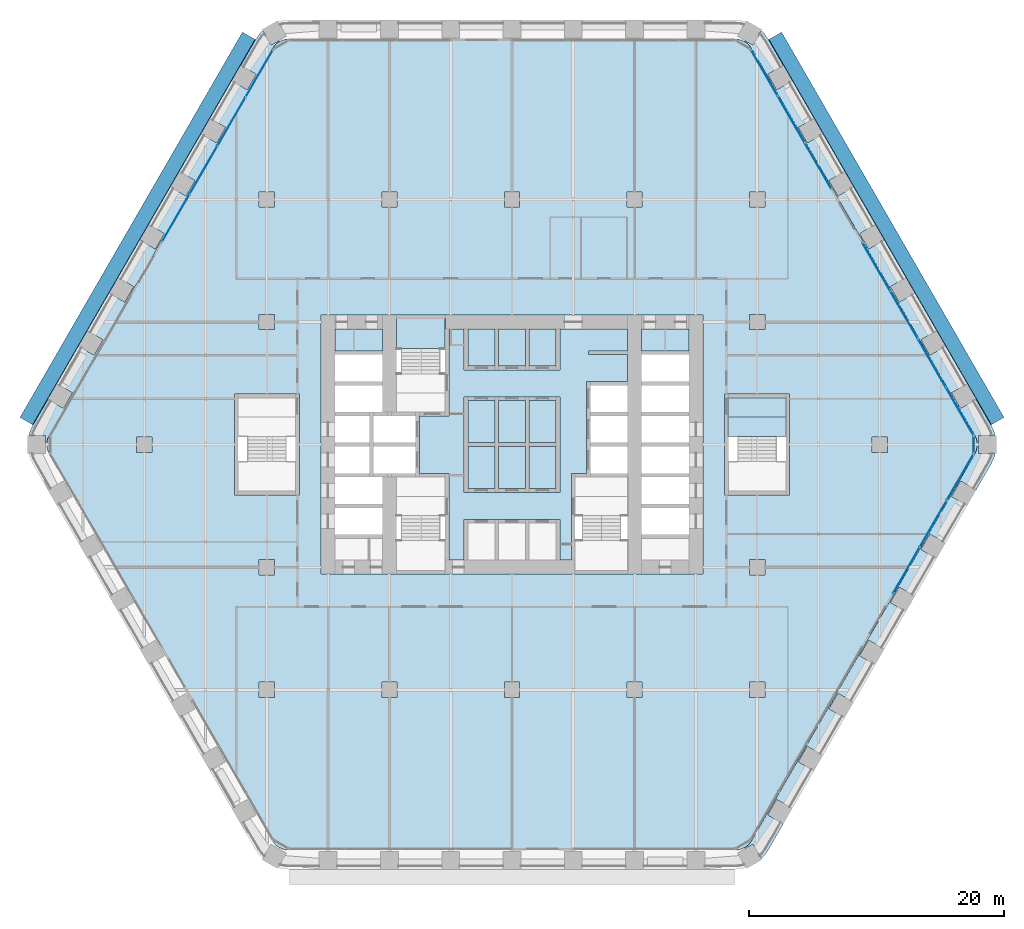
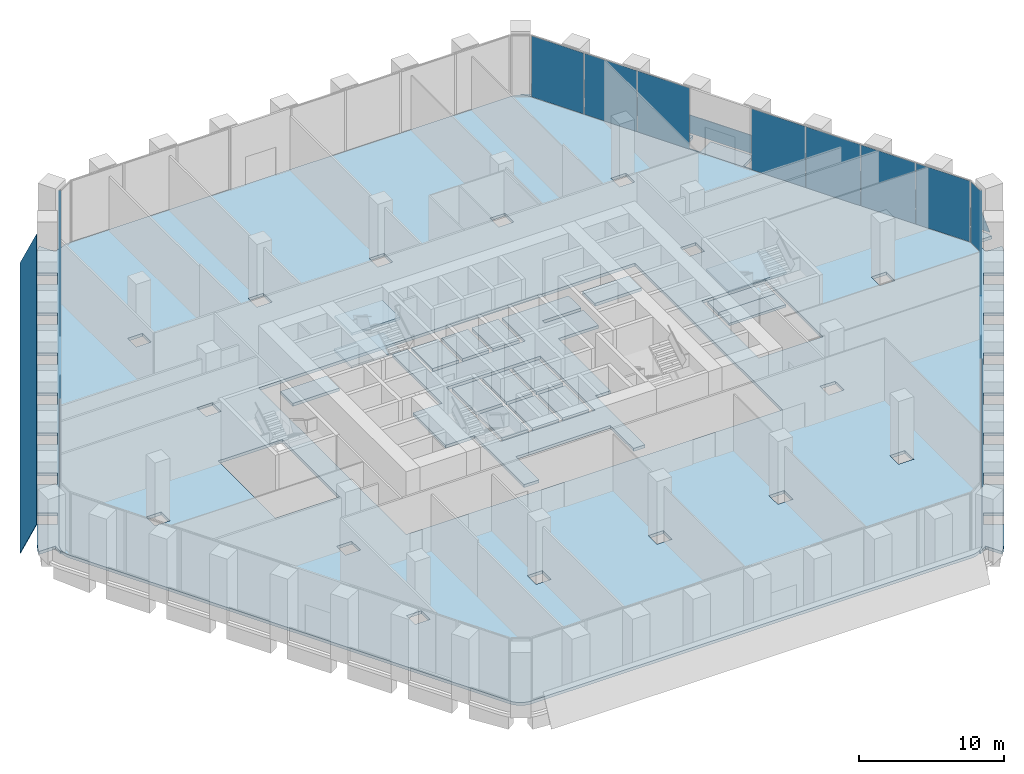
# One storey, part 16 of 27: 21 slabs, 17 plates, 7 elements without a shape of their own.
"""IFC4 building model written with IfcOpenShell, lengths in metres."""

from ifc_helpers import new_model, si_unit, direction, frame, origin, origin_2d, place, context, subcontext, project, spatial, polyline, rectangle, outline, extrude, material, layer, layer_set, type_object, element, aggregate, save


model = new_model("IFC4")

# Units and contexts
model_context = context("Model", 3, precision=1e-05, world=origin(), true_north=direction((0.0, 1.0)))
body_context = subcontext(model_context, "Body", "Model", "MODEL_VIEW")
ifc_project = project(units=[si_unit("LENGTHUNIT", "METRE"), si_unit("AREAUNIT", "SQUARE_METRE"), si_unit("VOLUMEUNIT", "CUBIC_METRE"), si_unit("PLANEANGLEUNIT", "RADIAN"), si_unit("MASSUNIT", "GRAM", prefix="KILO")], contexts=[model_context])

# Site, building, storey
site_placement = place(None, origin())
site = spatial("IfcSite", under=ifc_project, at=site_placement, CompositionType="ELEMENT")
building_placement = place(site_placement, origin())
building = spatial("IfcBuilding", under=site, at=building_placement, Name="Kolab Exchange Tower", CompositionType="ELEMENT")
storey_placement = place(building_placement, frame((0.0, 0.0, 22.39990234375)))
storey = spatial("IfcBuildingStorey", under=building, at=storey_placement, Name="L04", CompositionType="ELEMENT", Elevation=22.39990234375)

# Slabs
ifc_material_1 = material(Name="Concrete C35/45", Category="concrete")
ifc_layer_1 = layer(ifc_material_1, 0.25)
ifc_layer_set_1 = layer_set([ifc_layer_1], Name="Concrete C35/45")
slab_type_1 = type_object("IfcSlabType", Name="FLOOR SLAB 250", PredefinedType="FLOOR", material=ifc_layer_set_1)
slab_1_placement = place(storey_placement, frame((0.0, 0.0, -0.25)))
element("IfcSlab", 1, at=slab_1_placement, inside=storey, type_object=slab_type_1, Name="slab/L04/floor/0", PredefinedType="FLOOR", context=body_context, shape_type="SweptSolid", body=[
    extrude(outline(polyline([(18.76708984375, -31.00537109375), (36.23486328125, -0.75), (36.345458984375, -0.512939453125), (36.4130859375, -0.260498046875), (36.435791015625, 0.0), (36.4130859375, 0.260498046875), (36.345458984375, 0.512939453125), (36.23486328125, 0.75), (18.76708984375, 31.00537109375), (18.616943359375, 31.219482421875), (18.43212890625, 31.404541015625), (18.218017578125, 31.554443359375), (17.98095703125, 31.664794921875), (17.728515625, 31.732666015625), (17.468017578125, 31.75537109375), (-17.468017578125, 31.75537109375), (-17.728515625, 31.732666015625), (-17.98095703125, 31.664794921875), (-18.218017578125, 31.554443359375), (-18.43212890625, 31.404541015625), (-18.616943359375, 31.219482421875), (-18.76708984375, 31.00537109375), (-36.23486328125, 0.75), (-36.345458984375, 0.512939453125), (-36.4130859375, 0.260498046875), (-36.435791015625, 0.0), (-36.4130859375, -0.260498046875), (-36.345458984375, -0.512939453125), (-36.23486328125, -0.75), (-18.76708984375, -31.00537109375), (-18.616943359375, -31.219482421875), (-18.43212890625, -31.404541015625), (-18.218017578125, -31.554443359375), (-17.98095703125, -31.664794921875), (-17.728515625, -31.732666015625), (-17.468017578125, -31.75537109375), (17.468017578125, -31.75537109375), (17.728515625, -31.732666015625), (17.98095703125, -31.664794921875), (18.218017578125, -31.554443359375), (18.43212890625, -31.404541015625), (18.616943359375, -31.219482421875), (18.76708984375, -31.00537109375)]), holes=[polyline([(-19.800048828125, -18.60009765625), (-18.60009765625, -18.60009765625), (-18.60009765625, -19.800048828125), (-19.800048828125, -19.800048828125), (-19.800048828125, -18.60009765625)]), polyline([(-18.60009765625, -9.0), (-18.60009765625, -10.199951171875), (-19.800048828125, -10.199951171875), (-19.800048828125, -9.0), (-18.60009765625, -9.0)]), polyline([(-21.75, -3.949951171875), (-21.75, 3.949951171875), (-21.449951171875, 3.949951171875), (-16.949951171875, 3.949951171875), (-16.64990234375, 3.949951171875), (-16.64990234375, -3.949951171875), (-16.949951171875, -3.949951171875), (-21.449951171875, -3.949951171875), (-21.75, -3.949951171875)]), polyline([(-14.949951171875, 10.14990234375), (-13.85009765625, 10.14990234375), (-10.14990234375, 10.14990234375), (-9.050048828125, 10.14990234375), (-5.25, 10.14990234375), (9.050048828125, 10.14990234375), (10.14990234375, 10.14990234375), (13.85009765625, 10.14990234375), (14.949951171875, 10.14990234375), (14.949951171875, -10.14990234375), (13.85009765625, -10.14990234375), (10.14990234375, -10.14990234375), (9.050048828125, -10.14990234375), (4.949951171875, -10.14990234375), (-5.25, -10.14990234375), (-9.050048828125, -10.14990234375), (-10.14990234375, -10.14990234375), (-13.85009765625, -10.14990234375), (-14.949951171875, -10.14990234375), (-14.949951171875, 10.14990234375)]), polyline([(-28.199951171875, 0.60009765625), (-28.199951171875, -0.60009765625), (-29.39990234375, -0.60009765625), (-29.39990234375, 0.60009765625), (-28.199951171875, 0.60009765625)]), polyline([(-18.60009765625, 10.199951171875), (-18.60009765625, 9.0), (-19.800048828125, 9.0), (-19.800048828125, 10.199951171875), (-18.60009765625, 10.199951171875)]), polyline([(-19.800048828125, 19.800048828125), (-18.60009765625, 19.800048828125), (-18.60009765625, 18.60009765625), (-19.800048828125, 18.60009765625), (-19.800048828125, 19.800048828125)]), polyline([(-9.0, -18.60009765625), (-9.0, -19.800048828125), (-10.199951171875, -19.800048828125), (-10.199951171875, -18.60009765625), (-9.0, -18.60009765625)]), polyline([(-9.0, 19.800048828125), (-9.0, 18.60009765625), (-10.199951171875, 18.60009765625), (-10.199951171875, 19.800048828125), (-9.0, 19.800048828125)]), polyline([(0.60009765625, -18.60009765625), (0.60009765625, -19.800048828125), (-0.60009765625, -19.800048828125), (-0.60009765625, -18.60009765625), (0.60009765625, -18.60009765625)]), polyline([(0.60009765625, 19.800048828125), (0.60009765625, 18.60009765625), (-0.60009765625, 18.60009765625), (-0.60009765625, 19.800048828125), (0.60009765625, 19.800048828125)]), polyline([(10.199951171875, -18.60009765625), (10.199951171875, -19.800048828125), (9.0, -19.800048828125), (9.0, -18.60009765625), (10.199951171875, -18.60009765625)]), polyline([(9.0, 19.800048828125), (10.199951171875, 19.800048828125), (10.199951171875, 18.60009765625), (9.0, 18.60009765625), (9.0, 19.800048828125)]), polyline([(19.800048828125, -18.60009765625), (19.800048828125, -19.800048828125), (18.60009765625, -19.800048828125), (18.60009765625, -18.60009765625), (19.800048828125, -18.60009765625)]), polyline([(19.800048828125, -9.0), (19.800048828125, -10.199951171875), (18.60009765625, -10.199951171875), (18.60009765625, -9.0), (19.800048828125, -9.0)]), polyline([(16.949951171875, -3.949951171875), (16.64990234375, -3.949951171875), (16.64990234375, 3.949951171875), (16.949951171875, 3.949951171875), (21.449951171875, 3.949951171875), (21.75, 3.949951171875), (21.75, -3.949951171875), (21.449951171875, -3.949951171875), (16.949951171875, -3.949951171875)]), polyline([(29.39990234375, 0.60009765625), (29.39990234375, -0.60009765625), (28.199951171875, -0.60009765625), (28.199951171875, 0.60009765625), (29.39990234375, 0.60009765625)]), polyline([(18.60009765625, 10.199951171875), (19.800048828125, 10.199951171875), (19.800048828125, 9.0), (18.60009765625, 9.0), (18.60009765625, 10.199951171875)]), polyline([(18.60009765625, 19.800048828125), (19.800048828125, 19.800048828125), (19.800048828125, 18.60009765625), (18.60009765625, 18.60009765625), (18.60009765625, 19.800048828125)])]), origin(), (0.0, 0.0, 1.0), 0.25),
])
slab_2_placement = place(storey_placement, frame((0.0, 0.0, -0.25)))
element("IfcSlab", 2, at=slab_2_placement, inside=storey, type_object=slab_type_1, Name="slab/L04/floor/1", PredefinedType="FLOOR", context=body_context, shape_type="SweptSolid", body=[
    extrude(outline(polyline([(-5.25, 2.25), (-7.25, 2.25), (-7.25, -2.25), (-5.25, -2.25), (-4.949951171875, -2.25), (-4.949951171875, -9.050048828125), (-3.75, -9.050048828125), (-3.75, -5.85009765625), (-3.449951171875, -5.85009765625), (-1.35009765625, -5.85009765625), (-1.050048828125, -5.85009765625), (1.050048828125, -5.85009765625), (1.35009765625, -5.85009765625), (3.449951171875, -5.85009765625), (3.75, -5.85009765625), (3.75, -9.050048828125), (4.64990234375, -9.050048828125), (4.64990234375, -2.25), (4.949951171875, -2.25), (5.85009765625, -2.25), (5.85009765625, 4.949951171875), (6.14990234375, 4.949951171875), (9.050048828125, 4.949951171875), (9.050048828125, 7.050048828125), (6.0, 7.050048828125), (6.0, 7.35009765625), (9.050048828125, 7.35009765625), (9.050048828125, 9.050048828125), (3.75, 9.050048828125), (3.75, 5.85009765625), (3.449951171875, 5.85009765625), (1.35009765625, 5.85009765625), (1.050048828125, 5.85009765625), (-1.050048828125, 5.85009765625), (-1.35009765625, 5.85009765625), (-3.449951171875, 5.85009765625), (-3.75, 5.85009765625), (-3.75, 9.050048828125), (-4.949951171875, 9.050048828125), (-4.949951171875, 2.25), (-5.25, 2.25)]), holes=[polyline([(-1.35009765625, 3.75), (-1.050048828125, 3.75), (1.050048828125, 3.75), (1.35009765625, 3.75), (3.449951171875, 3.75), (3.75, 3.75), (3.75, -3.75), (3.449951171875, -3.75), (1.35009765625, -3.75), (1.050048828125, -3.75), (-1.050048828125, -3.75), (-1.35009765625, -3.75), (-3.449951171875, -3.75), (-3.75, -3.75), (-3.75, 3.75), (-3.449951171875, 3.75), (-1.35009765625, 3.75)])]), origin(), (0.0, 0.0, 1.0), 0.25),
])
slab_3_placement = place(storey_placement, frame((0.0, 0.0, -0.25)))
element("IfcSlab", 3, at=slab_3_placement, inside=storey, type_object=slab_type_1, Name="slab/L04/floor/2", PredefinedType="FLOOR", context=body_context, shape_type="SweptSolid", body=[
    extrude(outline(polyline([(-3.449951171875, -3.449951171875), (-1.35009765625, -3.449951171875), (-1.35009765625, -0.14990234375), (-3.449951171875, -0.14990234375), (-3.449951171875, -3.449951171875)])), origin(), (0.0, 0.0, 1.0), 0.25),
])
slab_4_placement = place(storey_placement, frame((0.0, 0.0, -0.25)))
element("IfcSlab", 4, at=slab_4_placement, inside=storey, type_object=slab_type_1, Name="slab/L04/floor/3", PredefinedType="FLOOR", context=body_context, shape_type="SweptSolid", body=[
    extrude(outline(polyline([(-1.35009765625, 0.14990234375), (-1.35009765625, 3.449951171875), (-3.449951171875, 3.449951171875), (-3.449951171875, 0.14990234375), (-1.35009765625, 0.14990234375)])), origin(), (0.0, 0.0, 1.0), 0.25),
])
slab_5_placement = place(storey_placement, frame((0.0, 0.0, -0.25)))
element("IfcSlab", 5, at=slab_5_placement, inside=storey, type_object=slab_type_1, Name="slab/L04/floor/4", PredefinedType="FLOOR", context=body_context, shape_type="SweptSolid", body=[
    extrude(outline(polyline([(-1.050048828125, -0.14990234375), (-1.050048828125, -3.449951171875), (1.050048828125, -3.449951171875), (1.050048828125, -0.14990234375), (-1.050048828125, -0.14990234375)])), origin(), (0.0, 0.0, 1.0), 0.25),
])
slab_6_placement = place(storey_placement, frame((0.0, 0.0, -0.25)))
element("IfcSlab", 6, at=slab_6_placement, inside=storey, type_object=slab_type_1, Name="slab/L04/floor/5", PredefinedType="FLOOR", context=body_context, shape_type="SweptSolid", body=[
    extrude(outline(polyline([(-1.050048828125, 3.449951171875), (-1.050048828125, 0.14990234375), (1.050048828125, 0.14990234375), (1.050048828125, 3.449951171875), (-1.050048828125, 3.449951171875)])), origin(), (0.0, 0.0, 1.0), 0.25),
])
slab_7_placement = place(storey_placement, frame((0.0, 0.0, -0.25)))
element("IfcSlab", 7, at=slab_7_placement, inside=storey, type_object=slab_type_1, Name="slab/L04/floor/6", PredefinedType="FLOOR", context=body_context, shape_type="SweptSolid", body=[
    extrude(outline(polyline([(1.35009765625, -3.449951171875), (3.449951171875, -3.449951171875), (3.449951171875, -0.14990234375), (1.35009765625, -0.14990234375), (1.35009765625, -3.449951171875)])), origin(), (0.0, 0.0, 1.0), 0.25),
])
slab_8_placement = place(storey_placement, frame((0.0, 0.0, -0.25)))
element("IfcSlab", 8, at=slab_8_placement, inside=storey, type_object=slab_type_1, Name="slab/L04/floor/7", PredefinedType="FLOOR", context=body_context, shape_type="SweptSolid", body=[
    extrude(outline(polyline([(1.35009765625, 0.14990234375), (3.449951171875, 0.14990234375), (3.449951171875, 3.449951171875), (1.35009765625, 3.449951171875), (1.35009765625, 0.14990234375)])), origin(), (0.0, 0.0, 1.0), 0.25),
])
slab_9_placement = place(storey_placement, frame((0.0, 0.0, -0.25)))
element("IfcSlab", 9, at=slab_9_placement, inside=storey, type_object=slab_type_1, Name="slab/L04/floor/9", PredefinedType="FLOOR", context=body_context, shape_type="SweptSolid", body=[
    extrude(outline(polyline([(21.449951171875, 3.64990234375), (16.949951171875, 3.64990234375), (16.949951171875, 2.14990234375), (21.449951171875, 2.14990234375), (21.449951171875, 3.64990234375)])), origin(), (0.0, 0.0, 1.0), 0.25),
])
slab_10_placement = place(storey_placement, frame((0.0, 0.0, -0.25)))
element("IfcSlab", 10, at=slab_10_placement, inside=storey, type_object=slab_type_1, Name="slab/L04/floor/11", PredefinedType="FLOOR", context=body_context, shape_type="SweptSolid", body=[
    extrude(outline(polyline([(-13.85009765625, 7.35009765625), (-10.14990234375, 7.35009765625), (-10.14990234375, 9.050048828125), (-13.85009765625, 9.050048828125), (-13.85009765625, 7.35009765625)])), origin(), (0.0, 0.0, 1.0), 0.25),
])
slab_11_placement = place(storey_placement, frame((0.0, 0.0, -0.25)))
element("IfcSlab", 11, at=slab_11_placement, inside=storey, type_object=slab_type_1, Name="slab/L04/floor/13", PredefinedType="FLOOR", context=body_context, shape_type="SweptSolid", body=[
    extrude(outline(polyline([(10.14990234375, 7.35009765625), (13.85009765625, 7.35009765625), (13.85009765625, 9.050048828125), (10.14990234375, 9.050048828125), (10.14990234375, 7.35009765625)])), origin(), (0.0, 0.0, 1.0), 0.25),
])
slab_12_placement = place(storey_placement, frame((0.0, 0.0, -0.25)))
element("IfcSlab", 12, at=slab_12_placement, inside=storey, type_object=slab_type_1, Name="slab/L04/floor/16", PredefinedType="FLOOR", context=body_context, shape_type="SweptSolid", body=[
    extrude(outline(polyline([(-1.050048828125, 9.050048828125), (-1.050048828125, 6.14990234375), (1.050048828125, 6.14990234375), (1.050048828125, 9.050048828125), (-1.050048828125, 9.050048828125)])), origin(), (0.0, 0.0, 1.0), 0.25),
])
slab_13_placement = place(storey_placement, frame((0.0, 0.0, -0.25)))
element("IfcSlab", 13, at=slab_13_placement, inside=storey, type_object=slab_type_1, Name="slab/L04/floor/18", PredefinedType="FLOOR", context=body_context, shape_type="SweptSolid", body=[
    extrude(outline(polyline([(-1.35009765625, 6.14990234375), (-1.35009765625, 9.050048828125), (-3.449951171875, 9.050048828125), (-3.449951171875, 6.14990234375), (-1.35009765625, 6.14990234375)])), origin(), (0.0, 0.0, 1.0), 0.25),
])
slab_14_placement = place(storey_placement, frame((0.0, 0.0, -0.25)))
element("IfcSlab", 14, at=slab_14_placement, inside=storey, type_object=slab_type_1, Name="slab/L04/floor/20", PredefinedType="FLOOR", context=body_context, shape_type="SweptSolid", body=[
    extrude(outline(polyline([(1.35009765625, 6.14990234375), (3.449951171875, 6.14990234375), (3.449951171875, 9.050048828125), (1.35009765625, 9.050048828125), (1.35009765625, 6.14990234375)])), origin(), (0.0, 0.0, 1.0), 0.25),
])
ifc_layer_2 = layer(ifc_material_1, 0.25)
ifc_layer_set_2 = layer_set([ifc_layer_2], Name="Concrete C35/45")
slab_type_2 = type_object("IfcSlabType", Name="LOGGIA SLAB 250", PredefinedType="FLOOR", material=ifc_layer_set_2)
slab_15_placement = place(storey_placement, frame((0.0, 0.0, -0.25)))
element("IfcSlab", 15, at=slab_15_placement, inside=storey, type_object=slab_type_2, Name="slab/L04/loggia/1-0", PredefinedType="FLOOR", context=body_context, shape_type="SweptSolid", body=[
    extrude(outline(polyline([(36.435791015625, 0.0), (36.535888671875, 0.0), (36.535888671875, 0.699951171875), (37.84228515625, 0.699951171875), (37.7548828125, 1.026123046875), (37.533935546875, 1.5), (36.35009765625, 3.55078125), (35.137451171875, 2.8505859375), (34.4375, 4.063232421875), (35.64990234375, 4.76318359375), (33.949951171875, 7.70751953125), (32.737548828125, 7.007568359375), (32.03759765625, 8.219970703125), (33.25, 8.920166015625), (31.550048828125, 11.864501953125), (30.337646484375, 11.16455078125), (29.637451171875, 12.376953125), (30.85009765625, 13.076904296875), (29.14990234375, 16.021484375), (27.9375, 15.321533203125), (27.237548828125, 16.533935546875), (28.449951171875, 17.23388671875), (26.75, 20.178466796875), (25.53759765625, 19.478271484375), (24.837646484375, 20.69091796875), (26.050048828125, 21.390869140625), (24.35009765625, 24.335205078125), (23.137451171875, 23.63525390625), (22.4375, 24.84765625), (23.64990234375, 25.5478515625), (21.949951171875, 28.4921875), (20.737548828125, 27.792236328125), (20.03759765625, 29.004638671875), (21.25, 29.70458984375), (20.06591796875, 31.75537109375), (19.76611328125, 32.183837890625), (19.52734375, 32.42236328125), (18.874267578125, 31.291015625), (18.26806640625, 31.64111328125), (18.218017578125, 31.554443359375), (18.43212890625, 31.404541015625), (18.616943359375, 31.219482421875), (18.76708984375, 31.00537109375), (36.23486328125, 0.75), (36.345458984375, 0.512939453125), (36.4130859375, 0.260498046875), (36.435791015625, 0.0)])), origin(), (0.0, 0.0, 1.0), 0.25),
])
slab_16_placement = place(storey_placement, frame((0.0, 0.0, -0.25)))
element("IfcSlab", 16, at=slab_16_placement, inside=storey, type_object=slab_type_2, Name="slab/L04/loggia/2-0", PredefinedType="FLOOR", context=body_context, shape_type="SweptSolid", body=[
    extrude(outline(polyline([(20.06591796875, -31.75537109375), (21.25, -29.70458984375), (20.03759765625, -29.004638671875), (20.737548828125, -27.792236328125), (21.949951171875, -28.4921875), (23.64990234375, -25.5478515625), (22.4375, -24.84765625), (23.137451171875, -23.63525390625), (24.35009765625, -24.335205078125), (26.050048828125, -21.390869140625), (24.837646484375, -20.69091796875), (25.53759765625, -19.478271484375), (26.75, -20.178466796875), (28.449951171875, -17.23388671875), (27.237548828125, -16.533935546875), (27.9375, -15.321533203125), (29.14990234375, -16.021484375), (30.85009765625, -13.076904296875), (29.637451171875, -12.376953125), (30.337646484375, -11.16455078125), (31.550048828125, -11.864501953125), (33.25, -8.920166015625), (32.03759765625, -8.219970703125), (32.737548828125, -7.007568359375), (33.949951171875, -7.70751953125), (35.64990234375, -4.76318359375), (34.4375, -4.063232421875), (35.137451171875, -2.8505859375), (36.35009765625, -3.55078125), (37.533935546875, -1.5), (37.7548828125, -1.026123046875), (37.84228515625, -0.699951171875), (36.535888671875, -0.699951171875), (36.535888671875, 0.0), (36.435791015625, 0.0), (36.4130859375, -0.260498046875), (36.345458984375, -0.512939453125), (36.23486328125, -0.75), (18.76708984375, -31.00537109375), (18.616943359375, -31.219482421875), (18.43212890625, -31.404541015625), (18.218017578125, -31.554443359375), (18.26806640625, -31.64111328125), (18.874267578125, -31.291015625), (19.52734375, -32.42236328125), (19.76611328125, -32.183837890625), (20.06591796875, -31.75537109375)])), origin(), (0.0, 0.0, 1.0), 0.25),
])
slab_17_placement = place(storey_placement, frame((0.0, 0.0, -0.25)))
element("IfcSlab", 17, at=slab_17_placement, inside=storey, type_object=slab_type_2, Name="slab/L04/loggia/5-0", PredefinedType="FLOOR", context=body_context, shape_type="SweptSolid", body=[
    extrude(outline(polyline([(-18.218017578125, 31.554443359375), (-18.26806640625, 31.64111328125), (-18.874267578125, 31.291015625), (-19.52734375, 32.42236328125), (-19.76611328125, 32.183837890625), (-20.06591796875, 31.75537109375), (-21.25, 29.70458984375), (-20.03759765625, 29.004638671875), (-20.737548828125, 27.792236328125), (-21.949951171875, 28.4921875), (-23.64990234375, 25.5478515625), (-22.4375, 24.84765625), (-23.137451171875, 23.63525390625), (-24.35009765625, 24.335205078125), (-26.050048828125, 21.390869140625), (-24.837646484375, 20.69091796875), (-25.53759765625, 19.478271484375), (-26.75, 20.178466796875), (-28.449951171875, 17.23388671875), (-27.237548828125, 16.533935546875), (-27.9375, 15.321533203125), (-29.14990234375, 16.021484375), (-30.85009765625, 13.076904296875), (-29.637451171875, 12.376953125), (-30.337646484375, 11.16455078125), (-31.550048828125, 11.864501953125), (-33.25, 8.920166015625), (-32.03759765625, 8.219970703125), (-32.737548828125, 7.007568359375), (-33.949951171875, 7.70751953125), (-35.64990234375, 4.76318359375), (-34.4375, 4.063232421875), (-35.137451171875, 2.8505859375), (-36.35009765625, 3.55078125), (-37.533935546875, 1.5), (-37.7548828125, 1.026123046875), (-37.84228515625, 0.699951171875), (-36.535888671875, 0.699951171875), (-36.535888671875, 0.0), (-36.435791015625, 0.0), (-36.4130859375, 0.260498046875), (-36.345458984375, 0.512939453125), (-36.23486328125, 0.75), (-18.76708984375, 31.00537109375), (-18.616943359375, 31.219482421875), (-18.43212890625, 31.404541015625), (-18.218017578125, 31.554443359375)])), origin(), (0.0, 0.0, 1.0), 0.25),
])

# Plates
ifc_material_2 = material(Name="Laminated glass, clear", Category="glass")
ifc_layer_3 = layer(ifc_material_2, 0.0400390625)
ifc_layer_set_3 = layer_set([ifc_layer_3], Name="Laminated glass, clear")
plate_type_1 = type_object("IfcPlateType", Name="OUTER SKIN LAMINATED GLASS SHEET 40", PredefinedType="SHEET", material=ifc_layer_set_3)
plate_1_placement = place(storey_placement, frame((21.11279296875, 32.302001953125, -0.782958984375), z_axis=(0.784872769673, 0.453148092024, 0.422648248689), x_axis=(0.500001313459, -0.866024645457, 0.0)))
element("IfcPlate", 18, at=plate_1_placement, inside=storey, type_object=plate_type_1, Name="Outer skin", PredefinedType="SHEET", context=body_context, shape_type="SweptSolid", body=[
    extrude(outline(polyline([(0.0, 0.0), (34.83584598906518, 0.0), (34.83577870170086, -2.7059575705201855), (-6.728736431932392e-05, -2.705957570520185), (0.0, 0.0)])), origin(), (0.0, 0.0, -1.0), 0.0400390625),
])
plate_2_placement = place(storey_placement, frame((-38.53076171875, 2.13330078125, -0.782958984375), z_axis=(-0.784872769673, 0.453148092024, 0.422648248689), x_axis=(0.500001313459, 0.866024645457, 0.0)))
element("IfcPlate", 19, at=plate_2_placement, inside=storey, type_object=plate_type_1, Name="Outer skin", PredefinedType="SHEET", context=body_context, shape_type="SweptSolid", body=[
    extrude(outline(polyline([(0.0, 0.0), (34.83584598906518, 0.0), (34.8359132764295, -2.7059575705201846), (6.728736431932392e-05, -2.705957570520185), (0.0, 0.0)])), origin(), (0.0, 0.0, -1.0), 0.0400390625),
])

# Stair, slabs
ifc_material_3 = material(Name="Concrete C50/60", Category="concrete")
stair_type_1 = type_object("IfcStairType", Name="STAIR ST1 RISER 171.9", PredefinedType="DOUBLE_RETURN_STAIR", material=ifc_material_3)
stair_1_placement = place(storey_placement, origin())
stair_1 = element("IfcStair", 20, at=stair_1_placement, inside=storey, type_object=stair_type_1, Name="Stair 1", PredefinedType="DOUBLE_RETURN_STAIR")
ifc_layer_4 = layer(ifc_material_3, 0.199951171875)
ifc_layer_set_4 = layer_set([ifc_layer_4], Name="Concrete C50/60")
slab_type_3 = type_object("IfcSlabType", Name="STAIR LANDING 200", PredefinedType="LANDING", material=ifc_layer_set_4)
slab_18_placement = place(storey_placement, frame((0.0, 0.0, 1.175048828125)))
slab_18 = element("IfcSlab", 21, at=slab_18_placement, type_object=slab_type_3, Name="ST1 landing 2", PredefinedType="LANDING", context=body_context, shape_type="SweptSolid", body=[
    extrude(outline(polyline([(-9.110107421875, 7.510009765625), (-5.18994140625, 7.510009765625), (-5.18994140625, 9.909912109375), (-9.110107421875, 9.909912109375), (-9.110107421875, 7.510009765625)])), origin(), (0.0, 0.0, 1.0), 0.199951171875),
])
slab_19_placement = place(storey_placement, frame((0.0, 0.0, 3.925048828125)))
slab_19 = element("IfcSlab", 22, at=slab_19_placement, type_object=slab_type_3, Name="ST1 landing 4", PredefinedType="LANDING", context=body_context, shape_type="SweptSolid", body=[
    extrude(outline(polyline([(-9.050048828125, 7.510009765625), (-5.25, 7.510009765625), (-5.25, 9.909912109375), (-9.050048828125, 9.909912109375), (-9.050048828125, 7.510009765625)])), origin(), (0.0, 0.0, 1.0), 0.199951171875),
])
aggregate(stair_1, [slab_18, slab_19])

stair_type_2 = type_object("IfcStairType", Name="STAIR ST4 RISER 171.9", PredefinedType="DOUBLE_RETURN_STAIR", material=ifc_material_3)
stair_2_placement = place(storey_placement, origin())
stair_2 = element("IfcStair", 23, at=stair_2_placement, inside=storey, type_object=stair_type_2, Name="Stair 4", PredefinedType="DOUBLE_RETURN_STAIR")
slab_20_placement = place(storey_placement, frame((0.0, 0.0, -0.199951171875)))
slab_20 = element("IfcSlab", 24, at=slab_20_placement, type_object=slab_type_3, Name="ST4 landing 1", PredefinedType="LANDING", context=body_context, shape_type="SweptSolid", body=[
    extrude(outline(polyline([(16.949951171875, 0.64990234375), (21.449951171875, 0.64990234375), (21.449951171875, 2.14990234375), (16.949951171875, 2.14990234375), (16.949951171875, 0.64990234375)])), origin(), (0.0, 0.0, 1.0), 0.199951171875),
])
slab_21_placement = place(storey_placement, frame((0.0, 0.0, 2.550048828125)))
slab_21 = element("IfcSlab", 25, at=slab_21_placement, type_object=slab_type_3, Name="ST4 landing 3", PredefinedType="LANDING", context=body_context, shape_type="SweptSolid", body=[
    extrude(outline(polyline([(16.889892578125, 0.64990234375), (21.510009765625, 0.64990234375), (21.510009765625, 3.7099609375), (16.889892578125, 3.7099609375), (16.889892578125, 0.64990234375)])), origin(), (0.0, 0.0, 1.0), 0.199951171875),
])
aggregate(stair_2, [slab_20, slab_21])

# Curtain wall, plates
ifc_material_4 = material(Name="Aluminium EN AW-6063 T6", Category="aluminium")
curtain_wall_type = type_object("IfcCurtainWallType", Name="UNITISED LOW ZONE CURTAIN WALL", PredefinedType="NOTDEFINED", material=ifc_material_4)
curtain_wall_1_placement = place(storey_placement, origin())
curtain_wall_1 = element("IfcCurtainWall", 26, at=curtain_wall_1_placement, inside=storey, type_object=curtain_wall_type, Name="cw/L04/F2-1", PredefinedType="NOTDEFINED")
ifc_material_5 = material(Name="Clear insulated glazing unit", Category="glass")
ifc_layer_5 = layer(ifc_material_5, 0.02392578125)
ifc_layer_set_5 = layer_set([ifc_layer_5], Name="Clear insulated glazing unit")
plate_type_2 = type_object("IfcPlateType", Name="UNITISED LOW ZONE GLASS PANEL 24", PredefinedType="CURTAIN_PANEL", material=ifc_layer_set_5)
plate_3_placement = place(storey_placement, frame((19.760986328125, 29.1240234375, 0.06005859375), z_axis=(0.0, 0.0, 1.0), x_axis=(0.500000017564, -0.866025393644, 0.0)))
plate_3 = element("IfcPlate", 27, at=plate_3_placement, type_object=plate_type_2, Name="CW1 panel 1.1", PredefinedType="CURTAIN_PANEL", context=body_context, shape_type="SweptSolid", body=[
    extrude(rectangle(XDim=4.132568359375, YDim=0.02392578125, at=origin_2d()), origin(), (0.0, 0.0, 1.0), 5.1298828125),
])
plate_4_placement = place(storey_placement, frame((21.86474609375, 25.47998046875, 0.06005859375), z_axis=(0.0, 0.0, 1.0), x_axis=(0.500000017564, -0.866025393644, 0.0)))
plate_4 = element("IfcPlate", 28, at=plate_4_placement, type_object=plate_type_2, Name="CW1 panel 2.1", PredefinedType="CURTAIN_PANEL", context=body_context, shape_type="SweptSolid", body=[
    extrude(rectangle(XDim=4.16259765625, YDim=0.02392578125, at=origin_2d()), origin(), (0.0, 0.0, 1.0), 5.1298828125),
])
plate_5_placement = place(storey_placement, frame((23.968505859375, 21.836181640625, 0.06005859375), z_axis=(0.0, 0.0, 1.0), x_axis=(0.500000017564, -0.866025393644, 0.0)))
plate_5 = element("IfcPlate", 29, at=plate_5_placement, type_object=plate_type_2, Name="CW1 panel 3.1", PredefinedType="CURTAIN_PANEL", context=body_context, shape_type="SweptSolid", body=[
    extrude(rectangle(XDim=4.132568359375, YDim=0.02392578125, at=origin_2d()), origin(), (0.0, 0.0, 1.0), 5.1298828125),
])
aggregate(curtain_wall_1, [plate_3, plate_4, plate_5])

curtain_wall_2_placement = place(storey_placement, origin())
curtain_wall_2 = element("IfcCurtainWall", 30, at=curtain_wall_2_placement, inside=storey, type_object=curtain_wall_type, Name="cw/L04/F2-2", PredefinedType="NOTDEFINED")
plate_6_placement = place(storey_placement, frame((28.531005859375, 13.933837890625, 0.06005859375), z_axis=(0.0, 0.0, 1.0), x_axis=(0.499999968274, -0.866025422102, 0.0)))
plate_6 = element("IfcPlate", 31, at=plate_6_placement, type_object=plate_type_2, Name="CW1 panel 1.1", PredefinedType="CURTAIN_PANEL", context=body_context, shape_type="SweptSolid", body=[
    extrude(rectangle(XDim=4.277099609375, YDim=0.02392578125, at=origin_2d()), origin(), (0.0, 0.0, 1.0), 5.1298828125),
])
plate_7_placement = place(storey_placement, frame((30.70703125, 10.164794921875, 0.06005859375), z_axis=(0.0, 0.0, 1.0), x_axis=(0.499999968274, -0.866025422102, 0.0)))
plate_7 = element("IfcPlate", 32, at=plate_7_placement, type_object=plate_type_2, Name="CW1 panel 2.1", PredefinedType="CURTAIN_PANEL", context=body_context, shape_type="SweptSolid", body=[
    extrude(rectangle(XDim=4.306884765625, YDim=0.02392578125, at=origin_2d()), origin(), (0.0, 0.0, 1.0), 5.1298828125),
])
plate_8_placement = place(storey_placement, frame((32.890380859375, 6.3828125, 0.06005859375), z_axis=(0.0, 0.0, 1.0), x_axis=(0.499999968274, -0.866025422102, 0.0)))
plate_8 = element("IfcPlate", 33, at=plate_8_placement, type_object=plate_type_2, Name="CW1 panel 3.1", PredefinedType="CURTAIN_PANEL", context=body_context, shape_type="SweptSolid", body=[
    extrude(rectangle(XDim=4.306884765625, YDim=0.02392578125, at=origin_2d()), origin(), (0.0, 0.0, 1.0), 5.1298828125),
])
plate_9_placement = place(storey_placement, frame((35.06640625, 2.614013671875, 0.06005859375), z_axis=(0.0, 0.0, 1.0), x_axis=(0.499999968274, -0.866025422102, 0.0)))
plate_9 = element("IfcPlate", 34, at=plate_9_placement, type_object=plate_type_2, Name="CW1 panel 4.1", PredefinedType="CURTAIN_PANEL", context=body_context, shape_type="SweptSolid", body=[
    extrude(rectangle(XDim=4.277099609375, YDim=0.02392578125, at=origin_2d()), origin(), (0.0, 0.0, 1.0), 5.1298828125),
])
aggregate(curtain_wall_2, [plate_6, plate_7, plate_8, plate_9])

curtain_wall_3_placement = place(storey_placement, origin())
curtain_wall_3 = element("IfcCurtainWall", 35, at=curtain_wall_3_placement, inside=storey, type_object=curtain_wall_type, Name="cw/L04/F3-1", PredefinedType="NOTDEFINED")
plate_10_placement = place(storey_placement, frame((35.1025390625, -2.551513671875, 0.06005859375), z_axis=(0.0, 0.0, 1.0), x_axis=(-0.499999958358, -0.866025427826, 0.0)))
plate_10 = element("IfcPlate", 36, at=plate_10_placement, type_object=plate_type_2, Name="CW1 panel 1.1", PredefinedType="CURTAIN_PANEL", context=body_context, shape_type="SweptSolid", body=[
    extrude(rectangle(XDim=4.132568359375, YDim=0.02392578125, at=origin_2d()), origin(), (0.0, 0.0, 1.0), 5.1298828125),
])
plate_11_placement = place(storey_placement, frame((32.998779296875, -6.1953125, 0.06005859375), z_axis=(0.0, 0.0, 1.0), x_axis=(-0.499999958358, -0.866025427826, 0.0)))
plate_11 = element("IfcPlate", 37, at=plate_11_placement, type_object=plate_type_2, Name="CW1 panel 2.1", PredefinedType="CURTAIN_PANEL", context=body_context, shape_type="SweptSolid", body=[
    extrude(rectangle(XDim=4.16259765625, YDim=0.02392578125, at=origin_2d()), origin(), (0.0, 0.0, 1.0), 5.1298828125),
])
plate_12_placement = place(storey_placement, frame((30.894775390625, -9.83935546875, 0.06005859375), z_axis=(0.0, 0.0, 1.0), x_axis=(-0.499999958358, -0.866025427826, 0.0)))
plate_12 = element("IfcPlate", 38, at=plate_12_placement, type_object=plate_type_2, Name="CW1 panel 3.1", PredefinedType="CURTAIN_PANEL", context=body_context, shape_type="SweptSolid", body=[
    extrude(rectangle(XDim=4.132568359375, YDim=0.02392578125, at=origin_2d()), origin(), (0.0, 0.0, 1.0), 5.1298828125),
])
aggregate(curtain_wall_3, [plate_10, plate_11, plate_12])

curtain_wall_4_placement = place(storey_placement, origin())
curtain_wall_4 = element("IfcCurtainWall", 39, at=curtain_wall_4_placement, inside=storey, type_object=curtain_wall_type, Name="cw/L04/F6-2", PredefinedType="NOTDEFINED")
plate_13_placement = place(storey_placement, frame((-26.33251953125, 17.74169921875, 0.06005859375), z_axis=(0.0, 0.0, 1.0), x_axis=(0.5000000112, 0.866025397318, 0.0)))
plate_13 = element("IfcPlate", 40, at=plate_13_placement, type_object=plate_type_2, Name="CW1 panel 1.1", PredefinedType="CURTAIN_PANEL", context=body_context, shape_type="SweptSolid", body=[
    extrude(rectangle(XDim=4.277099609375, YDim=0.02392578125, at=origin_2d()), origin(), (0.0, 0.0, 1.0), 5.1298828125),
])
plate_14_placement = place(storey_placement, frame((-24.156494140625, 21.510498046875, 0.06005859375), z_axis=(0.0, 0.0, 1.0), x_axis=(0.5000000112, 0.866025397318, 0.0)))
plate_14 = element("IfcPlate", 41, at=plate_14_placement, type_object=plate_type_2, Name="CW1 panel 2.1", PredefinedType="CURTAIN_PANEL", context=body_context, shape_type="SweptSolid", body=[
    extrude(rectangle(XDim=4.306884765625, YDim=0.02392578125, at=origin_2d()), origin(), (0.0, 0.0, 1.0), 5.1298828125),
])
plate_15_placement = place(storey_placement, frame((-21.972900390625, 25.29248046875, 0.06005859375), z_axis=(0.0, 0.0, 1.0), x_axis=(0.5000000112, 0.866025397318, 0.0)))
plate_15 = element("IfcPlate", 42, at=plate_15_placement, type_object=plate_type_2, Name="CW1 panel 3.1", PredefinedType="CURTAIN_PANEL", context=body_context, shape_type="SweptSolid", body=[
    extrude(rectangle(XDim=4.306884765625, YDim=0.02392578125, at=origin_2d()), origin(), (0.0, 0.0, 1.0), 5.1298828125),
])
plate_16_placement = place(storey_placement, frame((-19.796875, 29.0615234375, 0.06005859375), z_axis=(0.0, 0.0, 1.0), x_axis=(0.5000000112, 0.866025397318, 0.0)))
plate_16 = element("IfcPlate", 43, at=plate_16_placement, type_object=plate_type_2, Name="CW1 panel 4.1", PredefinedType="CURTAIN_PANEL", context=body_context, shape_type="SweptSolid", body=[
    extrude(rectangle(XDim=4.277099609375, YDim=0.02392578125, at=origin_2d()), origin(), (0.0, 0.0, 1.0), 5.1298828125),
])
aggregate(curtain_wall_4, [plate_13, plate_14, plate_15, plate_16])

# Curtain wall, plate
curtain_wall_5_placement = place(storey_placement, origin())
curtain_wall_5 = element("IfcCurtainWall", 44, at=curtain_wall_5_placement, inside=storey, type_object=curtain_wall_type, Name="cw/L04/F2F3-corner", PredefinedType="NOTDEFINED")
plate_17_placement = place(storey_placement, frame((36.165771484375, 0.0, 0.06005859375), z_axis=(0.0, 0.0, 1.0), x_axis=(0.0, -1.0, 0.0)))
plate_17 = element("IfcPlate", 45, at=plate_17_placement, type_object=plate_type_2, Name="CW1 panel 1.1", PredefinedType="CURTAIN_PANEL", context=body_context, shape_type="SweptSolid", body=[
    extrude(rectangle(XDim=1.300048828125, YDim=0.02392578125, at=origin_2d()), origin(), (0.0, 0.0, 1.0), 5.1298828125),
])
aggregate(curtain_wall_5, [plate_17])

save(model, "model.ifc")
